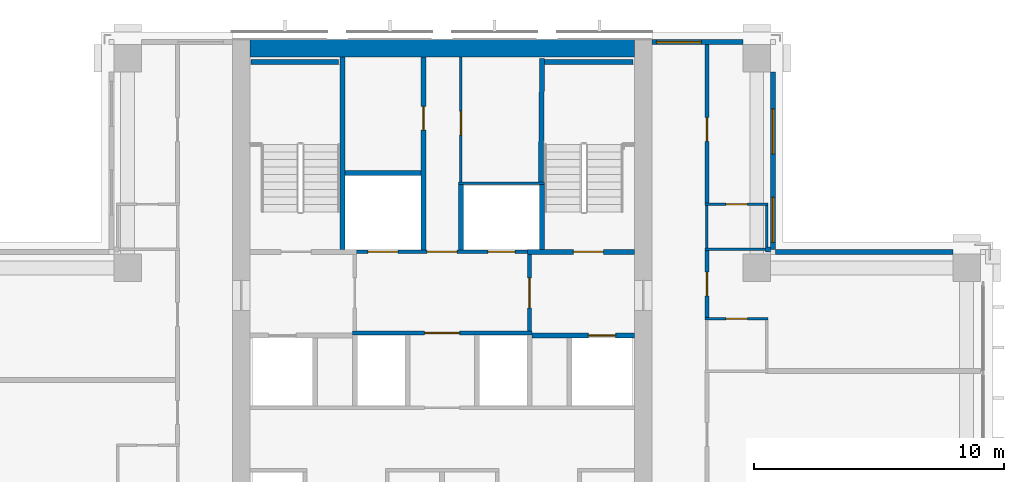
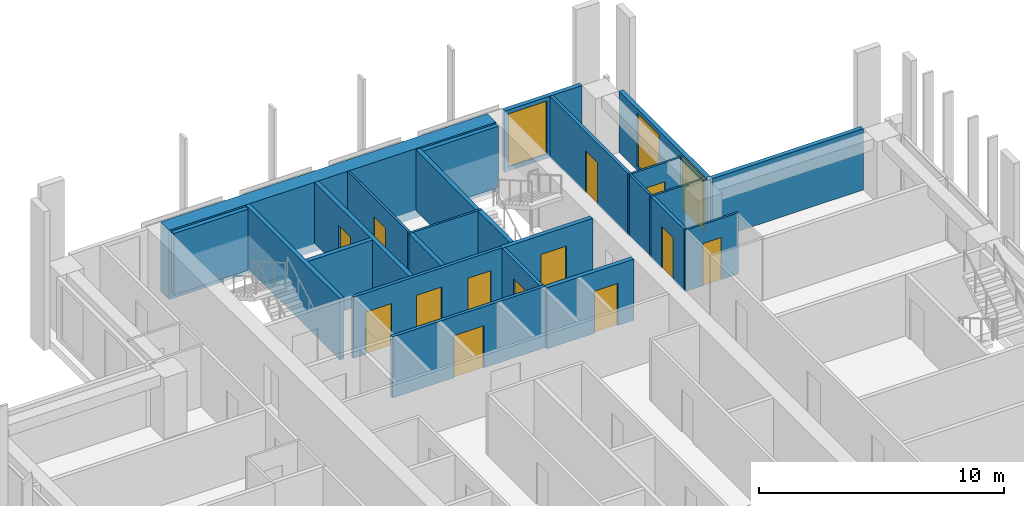
# One storey, part 12 of 16: 27 walls, 13 doors, 3 windows, 16 openings.
"""IFC4 building model written with IfcOpenShell, lengths in metres."""

from ifc_helpers import new_model, si_unit, direction, frame, frame_2d, origin, place, context, subcontext, project, spatial, rectangle, extrude, material, layer, layer_set, type_object, element, fill, save


model = new_model("IFC4")

# Units and contexts
model_context = context("Model", 3, precision=1e-05, world=origin(), true_north=direction((0.0, 1.0)))
body_context = subcontext(model_context, "Body", "Model", "MODEL_VIEW")
ifc_project = project(units=[si_unit("LENGTHUNIT", "METRE"), si_unit("AREAUNIT", "SQUARE_METRE"), si_unit("VOLUMEUNIT", "CUBIC_METRE"), si_unit("PLANEANGLEUNIT", "RADIAN"), si_unit("MASSUNIT", "GRAM", prefix="KILO")], contexts=[model_context])

# Site, building, storey
site_placement = place(None, origin())
site = spatial("IfcSite", under=ifc_project, at=site_placement, CompositionType="ELEMENT")
building_placement = place(site_placement, origin())
building = spatial("IfcBuilding", under=site, at=building_placement, Name="Vermilion Ogive Tower", CompositionType="ELEMENT")
storey_placement = place(building_placement, frame((0.0, 0.0, 143.449951171875)))
storey = spatial("IfcBuildingStorey", under=building, at=storey_placement, Name="L36", CompositionType="ELEMENT", Elevation=143.449951171875)

# Wall
ifc_material_1 = material(Name="Concrete B60", Category="concrete")
ifc_layer_1 = layer(ifc_material_1, 0.699951171875)
ifc_layer_set_1 = layer_set([ifc_layer_1], Name="Core wall 700 B60")
wall_type_1 = type_object("IfcWallType", Name="Core wall 700 B60", PredefinedType="SHEAR", material=ifc_layer_set_1)
wall_1_placement = place(storey_placement, frame((-7.699951171875, 21.39990234375, -0.39990234375), z_axis=(0.0, 0.0, 1.0), x_axis=(1.0, 0.0, 0.0)))
element("IfcWall", 1, at=wall_1_placement, inside=storey, type_object=wall_type_1, Name="L36-CORE-N", PredefinedType="SHEAR", context=body_context, shape_type="SweptSolid", body=[
    extrude(rectangle(XDim=15.39990234375, YDim=0.699951171875, at=frame_2d((7.699951171875, 0.0))), origin(), (0.0, 0.0, 1.0), 3.449951171875),
])

# Wall, opening, door
ifc_material_2 = material(Name="Gypsum board partition on steel studs", Category="steel")
ifc_layer_2 = layer(ifc_material_2, 0.10009765625)
ifc_layer_set_2 = layer_set([ifc_layer_2], Name="Partition 100 bath")
wall_type_2 = type_object("IfcWallType", Name="Partition 100 bath", PredefinedType="PARTITIONING", material=ifc_layer_set_2)
wall_2_placement = place(storey_placement, frame((10.52490234375, 10.570068359375, 0.0), z_axis=(0.0, 0.0, 1.0), x_axis=(1.0, 0.0, 0.0)))
wall_2 = element("IfcWall", 2, at=wall_2_placement, inside=storey, type_object=wall_type_2, Name="L36-W-W026", PredefinedType="PARTITIONING", context=body_context, shape_type="SweptSolid", body=[
    extrude(rectangle(XDim=2.525146484375, YDim=0.10009765625, at=frame_2d((1.2626953125, 0.0))), origin(), (0.0, 0.0, 1.0), 3.050048828125),
])
opening_1_placement = place(wall_2_placement, frame((0.85009765625, 0.0, 0.0)))
opening_1 = element("IfcOpeningElement", 3, at=opening_1_placement, cuts=wall_2, Name="Opening D3G2014", PredefinedType="OPENING", context=body_context, shape_type="SweptSolid", body=[
    extrude(rectangle(XDim=0.85009765625, YDim=2.10009765625, at=frame_2d((0.425048828125, 1.050048828125))), frame((0.0, 0.06005859375, 0.0), z_axis=(0.0, -1.0, 0.0), x_axis=(1.0, 0.0, 0.0)), (0.0, 0.0, 1.0), 0.1201171875),
])
ifc_material_3 = material(Name="Timber door leaf", Category="wood")
door_type_1 = type_object("IfcDoorType", Name="Bath door 850 x 2100 FD30", OperationType="SINGLE_SWING_LEFT", PredefinedType="DOOR", material=ifc_material_3)
door_1_placement = place(opening_1_placement, origin())
door_1 = element("IfcDoor", 4, at=door_1_placement, inside=storey, type_object=door_type_1, Name="L36-D-D014", OperationType="SINGLE_SWING_RIGHT", OverallHeight=2.10009765625, OverallWidth=0.85009765625, PredefinedType="DOOR", context=body_context, shape_type="SweptSolid", body=[
    extrude(rectangle(XDim=0.85009765625, YDim=2.10009765625, at=frame_2d((0.425048828125, 1.050048828125))), frame((0.0, 0.02490234375, 0.0), z_axis=(0.0, -1.0, 0.0), x_axis=(1.0, 0.0, 0.0)), (0.0, 0.0, 1.0), 0.050048828125),
])
fill(opening_1, door_1)

# Wall
wall_3_placement = place(storey_placement, frame((10.52490234375, 13.35009765625, 0.0), z_axis=(0.0, 0.0, 1.0), x_axis=(1.0, 0.0, 0.0)))
element("IfcWall", 5, at=wall_3_placement, inside=storey, type_object=wall_type_2, Name="L36-W-W029", PredefinedType="PARTITIONING", context=body_context, shape_type="SweptSolid", body=[
    extrude(rectangle(XDim=2.525146484375, YDim=0.10009765625, at=frame_2d((1.2626953125, 0.0))), origin(), (0.0, 0.0, 1.0), 3.050048828125),
])

# Wall, opening, door
wall_4_placement = place(storey_placement, frame((10.52490234375, 15.14990234375, 0.0), z_axis=(0.0, 0.0, 1.0), x_axis=(1.0, 0.0, 0.0)))
wall_4 = element("IfcWall", 6, at=wall_4_placement, inside=storey, type_object=wall_type_2, Name="L36-W-W032", PredefinedType="PARTITIONING", context=body_context, shape_type="SweptSolid", body=[
    extrude(rectangle(XDim=2.525146484375, YDim=0.10009765625, at=frame_2d((1.2626953125, 0.0))), origin(), (0.0, 0.0, 1.0), 3.050048828125),
])
opening_2_placement = place(wall_4_placement, frame((0.85009765625, 0.0, 0.0)))
opening_2 = element("IfcOpeningElement", 7, at=opening_2_placement, cuts=wall_4, Name="Opening D3G2016", PredefinedType="OPENING", context=body_context, shape_type="SweptSolid", body=[
    extrude(rectangle(XDim=0.85009765625, YDim=2.10009765625, at=frame_2d((0.425048828125, 1.050048828125))), frame((0.0, 0.06005859375, 0.0), z_axis=(0.0, -1.0, 0.0), x_axis=(1.0, 0.0, 0.0)), (0.0, 0.0, 1.0), 0.1201171875),
])
door_2_placement = place(opening_2_placement, origin())
door_2 = element("IfcDoor", 8, at=door_2_placement, inside=storey, type_object=door_type_1, Name="L36-D-D016", OperationType="SINGLE_SWING_RIGHT", OverallHeight=2.10009765625, OverallWidth=0.85009765625, PredefinedType="DOOR", context=body_context, shape_type="SweptSolid", body=[
    extrude(rectangle(XDim=0.85009765625, YDim=2.10009765625, at=frame_2d((0.425048828125, 1.050048828125))), frame((0.0, 0.02490234375, 0.0), z_axis=(0.0, -1.0, 0.0), x_axis=(1.0, 0.0, 0.0)), (0.0, 0.0, 1.0), 0.050048828125),
])
fill(opening_2, door_2)

# Walls
wall_5_placement = place(storey_placement, frame((10.60009765625, 13.39990234375, 0.0), z_axis=(0.0, 0.0, 1.0), x_axis=(0.0, 1.0, 0.0)))
element("IfcWall", 9, at=wall_5_placement, inside=storey, type_object=wall_type_2, Name="L36-W-W057", PredefinedType="PARTITIONING", context=body_context, shape_type="SweptSolid", body=[
    extrude(rectangle(XDim=1.7001953125, YDim=0.10009765625, at=frame_2d((0.85009765625, 0.0))), origin(), (0.0, 0.0, 1.0), 3.050048828125),
])
wall_6_placement = place(storey_placement, frame((13.0, 13.449951171875, 0.0), z_axis=(0.0, 0.0, 1.0), x_axis=(0.0, 1.0, 0.0)))
element("IfcWall", 10, at=wall_6_placement, inside=storey, type_object=wall_type_2, Name="L36-W-W063", PredefinedType="PARTITIONING", context=body_context, shape_type="SweptSolid", body=[
    extrude(rectangle(XDim=1.650146484375, YDim=0.10009765625, at=frame_2d((0.8251953125, 0.0))), origin(), (0.0, 0.0, 1.0), 3.050048828125),
])
wall_7_placement = place(storey_placement, frame((0.64990234375, 16.0, 0.0), z_axis=(0.0, 0.0, 1.0), x_axis=(1.0, 0.0, 0.0)))
element("IfcWall", 11, at=wall_7_placement, inside=storey, type_object=wall_type_2, Name="L36-CK-W-W017", PredefinedType="PARTITIONING", context=body_context, shape_type="SweptSolid", body=[
    extrude(rectangle(XDim=3.4501953125, YDim=0.10009765625, at=frame_2d((1.72509765625, 0.0))), origin(), (0.0, 0.0, 1.0), 3.050048828125),
])

# Wall, opening, door
wall_8_placement = place(storey_placement, frame((0.75, 16.050048828125, 0.0), z_axis=(0.0, 0.0, 1.0), x_axis=(0.0, 1.0, 0.0)))
wall_8 = element("IfcWall", 12, at=wall_8_placement, inside=storey, type_object=wall_type_2, Name="L36-CK-W-W029", PredefinedType="PARTITIONING", context=body_context, shape_type="SweptSolid", body=[
    extrude(rectangle(XDim=4.9990234375, YDim=0.10009765625, at=frame_2d((2.49951171875, 0.0))), origin(), (0.0, 0.0, 1.0), 3.050048828125),
])
opening_3_placement = place(wall_8_placement, frame((1.875, 0.0, 0.0)))
opening_3 = element("IfcOpeningElement", 13, at=opening_3_placement, cuts=wall_8, Name="Opening DAA311", PredefinedType="OPENING", context=body_context, shape_type="SweptSolid", body=[
    extrude(rectangle(XDim=0.949951171875, YDim=2.10009765625, at=frame_2d((0.47509765625, 1.050048828125))), frame((0.0, 0.06005859375, 0.0), z_axis=(0.0, -1.0, 0.0), x_axis=(1.0, 0.0, 0.0)), (0.0, 0.0, 1.0), 0.1201171875),
])
ifc_material_4 = material(Name="Timber door leaf", Category="wood")
door_type_2 = type_object("IfcDoorType", Name="Service door 950 x 2100 FD60", OperationType="SINGLE_SWING_LEFT", PredefinedType="DOOR", material=ifc_material_4)
door_3_placement = place(opening_3_placement, origin())
door_3 = element("IfcDoor", 14, at=door_3_placement, inside=storey, type_object=door_type_2, Name="L36-CK-D-D021", OperationType="SINGLE_SWING_LEFT", OverallHeight=2.10009765625, OverallWidth=0.949951171875, PredefinedType="DOOR", context=body_context, shape_type="SweptSolid", body=[
    extrude(rectangle(XDim=0.949951171875, YDim=2.10009765625, at=frame_2d((0.47509765625, 1.050048828125))), frame((0.0, 0.02490234375, 0.0), z_axis=(0.0, -1.0, 0.0), x_axis=(1.0, 0.0, 0.0)), (0.0, 0.0, 1.0), 0.050048828125),
])
fill(opening_3, door_3)

ifc_material_5 = material(Name="Gypsum board partition on steel studs", Category="steel")
ifc_layer_3 = layer(ifc_material_5, 0.14990234375)
ifc_layer_set_3 = layer_set([ifc_layer_3], Name="Partition 150 corridor")
wall_type_3 = type_object("IfcWallType", Name="Partition 150 corridor", PredefinedType="PARTITIONING", material=ifc_layer_set_3)
wall_9_placement = place(storey_placement, frame((10.60009765625, 10.6201171875, 0.0), z_axis=(0.0, 0.0, 1.0), x_axis=(0.0, 1.0, 0.0)))
wall_9 = element("IfcWall", 15, at=wall_9_placement, inside=storey, type_object=wall_type_3, Name="L36-W-W056", PredefinedType="PARTITIONING", context=body_context, shape_type="SweptSolid", body=[
    extrude(rectangle(XDim=2.679931640625, YDim=0.14990234375, at=frame_2d((1.33984375, 0.0))), origin(), (0.0, 0.0, 1.0), 3.050048828125),
])
opening_4_placement = place(wall_9_placement, frame((0.864990234375, 0.0, 0.0)))
opening_4 = element("IfcOpeningElement", 16, at=opening_4_placement, cuts=wall_9, Name="Opening D3G2013", PredefinedType="OPENING", context=body_context, shape_type="SweptSolid", body=[
    extrude(rectangle(XDim=0.949951171875, YDim=2.10009765625, at=frame_2d((0.47509765625, 1.050048828125))), frame((0.0, 0.0849609375, 0.0), z_axis=(0.0, -1.0, 0.0), x_axis=(1.0, 0.0, 0.0)), (0.0, 0.0, 1.0), 0.169921875),
])
ifc_material_6 = material(Name="Timber door leaf", Category="wood")
door_type_3 = type_object("IfcDoorType", Name="Unit door 950 x 2100 FD30S", OperationType="SINGLE_SWING_LEFT", PredefinedType="DOOR", material=ifc_material_6)
door_4_placement = place(opening_4_placement, origin())
door_4 = element("IfcDoor", 17, at=door_4_placement, inside=storey, type_object=door_type_3, Name="L36-D-D013", OperationType="SINGLE_SWING_RIGHT", OverallHeight=2.10009765625, OverallWidth=0.949951171875, PredefinedType="DOOR", context=body_context, shape_type="SweptSolid", body=[
    extrude(rectangle(XDim=0.949951171875, YDim=2.10009765625, at=frame_2d((0.47509765625, 1.050048828125))), frame((0.0, 0.02490234375, 0.0), z_axis=(0.0, -1.0, 0.0), x_axis=(1.0, 0.0, 0.0)), (0.0, 0.0, 1.0), 0.050048828125),
])
fill(opening_4, door_4)

wall_10_placement = place(storey_placement, frame((10.60009765625, 15.199951171875, 0.0), z_axis=(0.0, 0.0, 1.0), x_axis=(0.0, 1.0, 0.0)))
wall_10 = element("IfcWall", 18, at=wall_10_placement, inside=storey, type_object=wall_type_3, Name="L36-W-W058", PredefinedType="PARTITIONING", context=body_context, shape_type="SweptSolid", body=[
    extrude(rectangle(XDim=6.35009765625, YDim=0.14990234375, at=frame_2d((3.175048828125, 0.0))), origin(), (0.0, 0.0, 1.0), 3.050048828125),
])
opening_5_placement = place(wall_10_placement, frame((2.47509765625, 0.0, 0.0)))
opening_5 = element("IfcOpeningElement", 19, at=opening_5_placement, cuts=wall_10, Name="Opening D3G2015", PredefinedType="OPENING", context=body_context, shape_type="SweptSolid", body=[
    extrude(rectangle(XDim=0.949951171875, YDim=2.10009765625, at=frame_2d((0.47509765625, 1.050048828125))), frame((0.0, 0.0849609375, 0.0), z_axis=(0.0, -1.0, 0.0), x_axis=(1.0, 0.0, 0.0)), (0.0, 0.0, 1.0), 0.169921875),
])
door_5_placement = place(opening_5_placement, origin())
door_5 = element("IfcDoor", 20, at=door_5_placement, inside=storey, type_object=door_type_3, Name="L36-D-D015", OperationType="SINGLE_SWING_LEFT", OverallHeight=2.10009765625, OverallWidth=0.949951171875, PredefinedType="DOOR", context=body_context, shape_type="SweptSolid", body=[
    extrude(rectangle(XDim=0.949951171875, YDim=2.10009765625, at=frame_2d((0.47509765625, 1.050048828125))), frame((0.0, 0.02490234375, 0.0), z_axis=(0.0, -1.0, 0.0), x_axis=(1.0, 0.0, 0.0)), (0.0, 0.0, 1.0), 0.050048828125),
])
fill(opening_5, door_5)

wall_11_placement = place(storey_placement, frame((-3.60009765625, 10.0, 0.0), z_axis=(0.0, 0.0, 1.0), x_axis=(1.0, 0.0, 0.0)))
wall_11 = element("IfcWall", 21, at=wall_11_placement, inside=storey, type_object=wall_type_3, Name="L36-CK-W-W013", PredefinedType="PARTITIONING", context=body_context, shape_type="SweptSolid", body=[
    extrude(rectangle(XDim=7.2001953125, YDim=0.14990234375, at=frame_2d((3.60009765625, 0.0))), origin(), (0.0, 0.0, 1.0), 3.050048828125),
])
opening_6_placement = place(wall_11_placement, frame((2.900146484375, 0.0, 0.0)))
opening_6 = element("IfcOpeningElement", 22, at=opening_6_placement, cuts=wall_11, Name="Opening DAA303", PredefinedType="OPENING", context=body_context, shape_type="SweptSolid", body=[
    extrude(rectangle(XDim=1.39990234375, YDim=2.10009765625, at=frame_2d((0.699951171875, 1.050048828125))), frame((0.0, 0.0849609375, 0.0), z_axis=(0.0, -1.0, 0.0), x_axis=(1.0, 0.0, 0.0)), (0.0, 0.0, 1.0), 0.169921875),
])
ifc_material_7 = material(Name="Timber door leaf", Category="wood")
door_type_4 = type_object("IfcDoorType", Name="Lobby door 1400 x 2100 FD60S", OperationType="SINGLE_SWING_LEFT", PredefinedType="DOOR", material=ifc_material_7)
door_6_placement = place(opening_6_placement, origin())
door_6 = element("IfcDoor", 23, at=door_6_placement, inside=storey, type_object=door_type_4, Name="L36-CK-D-D016", OperationType="SINGLE_SWING_RIGHT", OverallHeight=2.10009765625, OverallWidth=1.39990234375, PredefinedType="DOOR", context=body_context, shape_type="SweptSolid", body=[
    extrude(rectangle(XDim=1.39990234375, YDim=2.10009765625, at=frame_2d((0.699951171875, 1.050048828125))), frame((0.0, 0.02490234375, 0.0), z_axis=(0.0, -1.0, 0.0), x_axis=(1.0, 0.0, 0.0)), (0.0, 0.0, 1.0), 0.050048828125),
])
fill(opening_6, door_6)

# Wall, openings, doors
wall_12_placement = place(storey_placement, frame((-3.574951171875, 13.25, 0.0), z_axis=(0.0, 0.0, 1.0), x_axis=(1.0, 0.0, 0.0)))
wall_12 = element("IfcWall", 24, at=wall_12_placement, inside=storey, type_object=wall_type_3, Name="L36-CK-W-W015", PredefinedType="PARTITIONING", context=body_context, shape_type="SweptSolid", body=[
    extrude(rectangle(XDim=7.14990234375, YDim=0.14990234375, at=frame_2d((3.574951171875, 0.0))), origin(), (0.0, 0.0, 1.0), 3.050048828125),
])
opening_7_placement = place(wall_12_placement, frame((0.599853515625, 0.0, 0.0)))
opening_7 = element("IfcOpeningElement", 25, at=opening_7_placement, cuts=wall_12, Name="Opening DAA322", PredefinedType="OPENING", context=body_context, shape_type="SweptSolid", body=[
    extrude(rectangle(XDim=1.199951171875, YDim=2.10009765625, at=frame_2d((0.60009765625, 1.050048828125))), frame((0.0, 0.0849609375, 0.0), z_axis=(0.0, -1.0, 0.0), x_axis=(1.0, 0.0, 0.0)), (0.0, 0.0, 1.0), 0.169921875),
])
opening_8_placement = place(wall_12_placement, frame((5.39990234375, 0.0, 0.0)))
opening_8 = element("IfcOpeningElement", 26, at=opening_8_placement, cuts=wall_12, Name="Opening DAA321", PredefinedType="OPENING", context=body_context, shape_type="SweptSolid", body=[
    extrude(rectangle(XDim=1.10009765625, YDim=2.10009765625, at=frame_2d((0.550048828125, 1.050048828125))), frame((0.0, 0.0849609375, 0.0), z_axis=(0.0, -1.0, 0.0), x_axis=(1.0, 0.0, 0.0)), (0.0, 0.0, 1.0), 0.169921875),
])
opening_9_placement = place(wall_12_placement, frame((2.974853515625, 0.0, 0.0)))
opening_9 = element("IfcOpeningElement", 27, at=opening_9_placement, cuts=wall_12, Name="Opening DAA304", PredefinedType="OPENING", context=body_context, shape_type="SweptSolid", body=[
    extrude(rectangle(XDim=1.199951171875, YDim=2.10009765625, at=frame_2d((0.60009765625, 1.050048828125))), frame((0.0, 0.0849609375, 0.0), z_axis=(0.0, -1.0, 0.0), x_axis=(1.0, 0.0, 0.0)), (0.0, 0.0, 1.0), 0.169921875),
])
ifc_material_8 = material(Name="Stainless steel", Category="steel")
door_type_5 = type_object("IfcDoorType", Name="Lift landing door 1100 x 2100", OperationType="SLIDING_TO_LEFT", PredefinedType="DOOR", material=ifc_material_8)
door_7_placement = place(opening_8_placement, origin())
door_7 = element("IfcDoor", 28, at=door_7_placement, inside=storey, type_object=door_type_5, Name="L36-CK-D-D018", OperationType="SLIDING_TO_LEFT", OverallHeight=2.10009765625, OverallWidth=1.10009765625, PredefinedType="DOOR", context=body_context, shape_type="SweptSolid", body=[
    extrude(rectangle(XDim=1.10009765625, YDim=2.10009765625, at=frame_2d((0.550048828125, 1.050048828125))), frame((0.0, 0.02490234375, 0.0), z_axis=(0.0, -1.0, 0.0), x_axis=(1.0, 0.0, 0.0)), (0.0, 0.0, 1.0), 0.050048828125),
])
fill(opening_8, door_7)
ifc_material_9 = material(Name="Stainless steel", Category="steel")
door_type_6 = type_object("IfcDoorType", Name="Lift landing door 1200 x 2100", OperationType="SLIDING_TO_LEFT", PredefinedType="DOOR", material=ifc_material_9)
door_8_placement = place(opening_7_placement, origin())
door_8 = element("IfcDoor", 29, at=door_8_placement, inside=storey, type_object=door_type_6, Name="L36-CK-D-D017", OperationType="SLIDING_TO_RIGHT", OverallHeight=2.10009765625, OverallWidth=1.199951171875, PredefinedType="DOOR", context=body_context, shape_type="SweptSolid", body=[
    extrude(rectangle(XDim=1.199951171875, YDim=2.10009765625, at=frame_2d((0.60009765625, 1.050048828125))), frame((0.0, 0.02490234375, 0.0), z_axis=(0.0, -1.0, 0.0), x_axis=(1.0, 0.0, 0.0)), (0.0, 0.0, 1.0), 0.050048828125),
])
fill(opening_7, door_8)
ifc_material_10 = material(Name="Timber door leaf", Category="wood")
door_type_7 = type_object("IfcDoorType", Name="Service door 1200 x 2100 FD60", OperationType="SINGLE_SWING_LEFT", PredefinedType="DOOR", material=ifc_material_10)
door_9_placement = place(opening_9_placement, origin())
door_9 = element("IfcDoor", 30, at=door_9_placement, inside=storey, type_object=door_type_7, Name="L36-CK-D-D019", OperationType="SINGLE_SWING_RIGHT", OverallHeight=2.10009765625, OverallWidth=1.199951171875, PredefinedType="DOOR", context=body_context, shape_type="SweptSolid", body=[
    extrude(rectangle(XDim=1.199951171875, YDim=2.10009765625, at=frame_2d((0.60009765625, 1.050048828125))), frame((0.0, 0.02490234375, 0.0), z_axis=(0.0, -1.0, 0.0), x_axis=(1.0, 0.0, 0.0)), (0.0, 0.0, 1.0), 0.050048828125),
])
fill(opening_9, door_9)

# Wall, opening, door
wall_13_placement = place(storey_placement, frame((3.5, 10.074951171875, 0.0), z_axis=(0.0, 0.0, 1.0), x_axis=(0.0, 1.0, 0.0)))
wall_13 = element("IfcWall", 31, at=wall_13_placement, inside=storey, type_object=wall_type_3, Name="L36-CK-W-W033", PredefinedType="PARTITIONING", context=body_context, shape_type="SweptSolid", body=[
    extrude(rectangle(XDim=3.074951171875, YDim=0.14990234375, at=frame_2d((1.53759765625, 0.0))), origin(), (0.0, 0.0, 1.0), 3.050048828125),
])
opening_10_placement = place(wall_13_placement, frame((0.925048828125, 0.0, 0.0)))
opening_10 = element("IfcOpeningElement", 32, at=opening_10_placement, cuts=wall_13, Name="Opening DAA301", PredefinedType="OPENING", context=body_context, shape_type="SweptSolid", body=[
    extrude(rectangle(XDim=1.199951171875, YDim=2.10009765625, at=frame_2d((0.60009765625, 1.050048828125))), frame((0.0, 0.0849609375, 0.0), z_axis=(0.0, -1.0, 0.0), x_axis=(1.0, 0.0, 0.0)), (0.0, 0.0, 1.0), 0.169921875),
])
ifc_material_11 = material(Name="Timber door leaf", Category="wood")
door_type_8 = type_object("IfcDoorType", Name="Lobby door 1200 x 2100 FD60S", OperationType="SINGLE_SWING_LEFT", PredefinedType="DOOR", material=ifc_material_11)
door_10_placement = place(opening_10_placement, origin())
door_10 = element("IfcDoor", 33, at=door_10_placement, inside=storey, type_object=door_type_8, Name="L36-CK-D-D023", OperationType="SINGLE_SWING_LEFT", OverallHeight=2.10009765625, OverallWidth=1.199951171875, PredefinedType="DOOR", context=body_context, shape_type="SweptSolid", body=[
    extrude(rectangle(XDim=1.199951171875, YDim=2.10009765625, at=frame_2d((0.60009765625, 1.050048828125))), frame((0.0, 0.02490234375, 0.0), z_axis=(0.0, -1.0, 0.0), x_axis=(1.0, 0.0, 0.0)), (0.0, 0.0, 1.0), 0.050048828125),
])
fill(opening_10, door_10)

# Wall
ifc_material_12 = material(Name="Gypsum board partition on steel studs", Category="steel")
ifc_layer_4 = layer(ifc_material_12, 0.199951171875)
ifc_layer_set_4 = layer_set([ifc_layer_4], Name="Partition 200 party")
wall_type_4 = type_object("IfcWallType", Name="Partition 200 party", PredefinedType="PARTITIONING", material=ifc_layer_set_4)
wall_14_placement = place(storey_placement, frame((12.949951171875, 13.35009765625, 0.0), z_axis=(0.0, 0.0, 1.0), x_axis=(1.0, 0.0, 0.0)))
element("IfcWall", 34, at=wall_14_placement, inside=storey, type_object=wall_type_4, Name="L36-W-W030", PredefinedType="PARTITIONING", context=body_context, shape_type="SweptSolid", body=[
    extrude(rectangle(XDim=0.199951171875, YDim=0.199951171875, at=frame_2d((0.10009765625, 0.0))), origin(), (0.0, 0.0, 1.0), 3.050048828125),
])

# Wall, opening, door
wall_15_placement = place(storey_placement, frame((3.60009765625, 9.89990234375, 0.0), z_axis=(0.0, 0.0, 1.0), x_axis=(1.0, 0.0, 0.0)))
wall_15 = element("IfcWall", 35, at=wall_15_placement, inside=storey, type_object=wall_type_4, Name="L36-CK-W-W012", PredefinedType="PARTITIONING", context=body_context, shape_type="SweptSolid", body=[
    extrude(rectangle(XDim=4.098876953125, YDim=0.199951171875, at=frame_2d((2.04931640625, 0.0))), origin(), (0.0, 0.0, 1.0), 3.050048828125),
])
opening_11_placement = place(wall_15_placement, frame((2.25, 0.0, 0.0)))
opening_11 = element("IfcOpeningElement", 36, at=opening_11_placement, cuts=wall_15, Name="Opening DAA320", PredefinedType="OPENING", context=body_context, shape_type="SweptSolid", body=[
    extrude(rectangle(XDim=1.10009765625, YDim=2.10009765625, at=frame_2d((0.550048828125, 1.050048828125))), frame((0.0, 0.10986328125, 0.0), z_axis=(0.0, -1.0, 0.0), x_axis=(1.0, 0.0, 0.0)), (0.0, 0.0, 1.0), 0.219970703125),
])
door_11_placement = place(opening_11_placement, origin())
door_11 = element("IfcDoor", 37, at=door_11_placement, inside=storey, type_object=door_type_5, Name="L36-CK-D-D014", OperationType="SLIDING_TO_LEFT", OverallHeight=2.10009765625, OverallWidth=1.10009765625, PredefinedType="DOOR", context=body_context, shape_type="SweptSolid", body=[
    extrude(rectangle(XDim=1.10009765625, YDim=2.10009765625, at=frame_2d((0.550048828125, 1.050048828125))), frame((0.0, 0.02490234375, 0.0), z_axis=(0.0, -1.0, 0.0), x_axis=(1.0, 0.0, 0.0)), (0.0, 0.0, 1.0), 0.050048828125),
])
fill(opening_11, door_11)

# Wall
wall_16_placement = place(storey_placement, frame((-3.89990234375, 16.39990234375, 0.0), z_axis=(0.0, 0.0, 1.0), x_axis=(1.0, 0.0, 0.0)))
element("IfcWall", 38, at=wall_16_placement, inside=storey, type_object=wall_type_4, Name="L36-CK-W-W018", PredefinedType="PARTITIONING", context=body_context, shape_type="SweptSolid", body=[
    extrude(rectangle(XDim=3.0498046875, YDim=0.199951171875, at=frame_2d((1.52490234375, 0.0))), origin(), (0.0, 0.0, 1.0), 3.050048828125),
])

# Wall, opening, door
wall_17_placement = place(storey_placement, frame((-0.75, 13.324951171875, 0.0), z_axis=(0.0, 0.0, 1.0), x_axis=(0.0, 1.0, 0.0)))
wall_17 = element("IfcWall", 39, at=wall_17_placement, inside=storey, type_object=wall_type_4, Name="L36-CK-W-W026", PredefinedType="PARTITIONING", context=body_context, shape_type="SweptSolid", body=[
    extrude(rectangle(XDim=7.72412109375, YDim=0.199951171875, at=frame_2d((3.862060546875, 0.0))), origin(), (0.0, 0.0, 1.0), 3.050048828125),
])
opening_12_placement = place(wall_17_placement, frame((4.800048828125, 0.0, 0.0)))
opening_12 = element("IfcOpeningElement", 40, at=opening_12_placement, cuts=wall_17, Name="Opening DAA310", PredefinedType="OPENING", context=body_context, shape_type="SweptSolid", body=[
    extrude(rectangle(XDim=0.949951171875, YDim=2.10009765625, at=frame_2d((0.47509765625, 1.050048828125))), frame((0.0, 0.10986328125, 0.0), z_axis=(0.0, -1.0, 0.0), x_axis=(1.0, 0.0, 0.0)), (0.0, 0.0, 1.0), 0.219970703125),
])
door_12_placement = place(opening_12_placement, origin())
door_12 = element("IfcDoor", 41, at=door_12_placement, inside=storey, type_object=door_type_2, Name="L36-CK-D-D020", OperationType="SINGLE_SWING_RIGHT", OverallHeight=2.10009765625, OverallWidth=0.949951171875, PredefinedType="DOOR", context=body_context, shape_type="SweptSolid", body=[
    extrude(rectangle(XDim=0.949951171875, YDim=2.10009765625, at=frame_2d((0.47509765625, 1.050048828125))), frame((0.0, 0.02490234375, 0.0), z_axis=(0.0, -1.0, 0.0), x_axis=(1.0, 0.0, 0.0)), (0.0, 0.0, 1.0), 0.050048828125),
])
fill(opening_12, door_12)

# Wall
wall_18_placement = place(storey_placement, frame((0.75, 13.324951171875, 0.0), z_axis=(0.0, 0.0, 1.0), x_axis=(0.0, 1.0, 0.0)))
element("IfcWall", 42, at=wall_18_placement, inside=storey, type_object=wall_type_4, Name="L36-CK-W-W028", PredefinedType="PARTITIONING", context=body_context, shape_type="SweptSolid", body=[
    extrude(rectangle(XDim=2.625, YDim=0.199951171875, at=frame_2d((1.3125, 0.0))), origin(), (0.0, 0.0, 1.0), 3.050048828125),
])

# Wall, opening, door
ifc_material_13 = material(Name="Concrete B60", Category="concrete")
ifc_layer_5 = layer(ifc_material_13, 0.199951171875)
ifc_layer_set_5 = layer_set([ifc_layer_5], Name="Stair shaft wall 200 Concrete B60")
wall_type_5 = type_object("IfcWallType", Name="Stair shaft wall 200 Concrete B60", PredefinedType="SOLIDWALL", material=ifc_layer_set_5)
wall_19_placement = place(storey_placement, frame((3.425048828125, 13.25, 0.0), z_axis=(0.0, 0.0, 1.0), x_axis=(1.0, 0.0, 0.0)))
wall_19 = element("IfcWall", 43, at=wall_19_placement, inside=storey, type_object=wall_type_5, Name="L36-CK-W-W016", PredefinedType="SOLIDWALL", context=body_context, shape_type="SweptSolid", body=[
    extrude(rectangle(XDim=4.27392578125, YDim=0.199951171875, at=frame_2d((2.136962890625, 0.0))), origin(), (0.0, 0.0, 1.0), 3.050048828125),
])
opening_13_placement = place(wall_19_placement, frame((1.824951171875, 0.0, 0.0)))
opening_13 = element("IfcOpeningElement", 44, at=opening_13_placement, cuts=wall_19, Name="Opening DAA313", PredefinedType="OPENING", context=body_context, shape_type="SweptSolid", body=[
    extrude(rectangle(XDim=1.199951171875, YDim=2.10009765625, at=frame_2d((0.60009765625, 1.050048828125))), frame((0.0, 0.10986328125, 0.0), z_axis=(0.0, -1.0, 0.0), x_axis=(1.0, 0.0, 0.0)), (0.0, 0.0, 1.0), 0.219970703125),
])
ifc_material_14 = material(Name="Timber door leaf", Category="wood")
door_type_9 = type_object("IfcDoorType", Name="Stair door 1200 x 2100 FD60S", OperationType="SINGLE_SWING_LEFT", PredefinedType="DOOR", material=ifc_material_14)
door_13_placement = place(opening_13_placement, origin())
door_13 = element("IfcDoor", 45, at=door_13_placement, inside=storey, type_object=door_type_9, Name="L36-CK-D-D013", OperationType="SINGLE_SWING_RIGHT", OverallHeight=2.10009765625, OverallWidth=1.199951171875, PredefinedType="DOOR", context=body_context, shape_type="SweptSolid", body=[
    extrude(rectangle(XDim=1.199951171875, YDim=2.10009765625, at=frame_2d((0.60009765625, 1.050048828125))), frame((0.0, 0.02490234375, 0.0), z_axis=(0.0, -1.0, 0.0), x_axis=(1.0, 0.0, 0.0)), (0.0, 0.0, 1.0), 0.050048828125),
])
fill(opening_13, door_13)

# Walls
wall_20_placement = place(storey_placement, frame((-4.0, 13.35009765625, 0.0), z_axis=(0.0, 0.0, 1.0), x_axis=(0.0, 1.0, 0.0)))
element("IfcWall", 46, at=wall_20_placement, inside=storey, type_object=wall_type_5, Name="L36-CK-W-W021", PredefinedType="SOLIDWALL", context=body_context, shape_type="SweptSolid", body=[
    extrude(rectangle(XDim=7.698974609375, YDim=0.199951171875, at=frame_2d((3.849609375, 0.0))), origin(), (0.0, 0.0, 1.0), 3.050048828125),
])
wall_21_placement = place(storey_placement, frame((4.0, 13.35009765625, 0.0), z_axis=(0.0, 0.0, 1.0), x_axis=(0.0, 1.0, 0.0)))
element("IfcWall", 47, at=wall_21_placement, inside=storey, type_object=wall_type_5, Name="L36-CK-W-W034", PredefinedType="SOLIDWALL", context=body_context, shape_type="SweptSolid", body=[
    extrude(rectangle(XDim=2.599853515625, YDim=0.199951171875, at=frame_2d((1.2998046875, 0.0))), origin(), (0.0, 0.0, 1.0), 3.050048828125),
])
wall_22_placement = place(storey_placement, frame((3.949951171875, 16.050048828125, 0.0), z_axis=(0.0, 0.0, 1.0), x_axis=(0.010112452169, 0.999948867848, 0.0)))
element("IfcWall", 48, at=wall_22_placement, inside=storey, type_object=wall_type_5, Name="L36-CK-W-W035", PredefinedType="SOLIDWALL", context=body_context, shape_type="SweptSolid", body=[
    extrude(rectangle(XDim=4.94921875, YDim=0.199951171875, at=frame_2d((2.474609375, 0.0))), origin(), (0.0, 0.0, 1.0), 3.050048828125),
])
wall_23_placement = place(storey_placement, frame((-7.64990234375, 20.85009765625, 0.0), z_axis=(0.0, 0.0, 1.0), x_axis=(1.0, 0.0, 0.0)))
element("IfcWall", 49, at=wall_23_placement, inside=storey, type_object=wall_type_5, Name="L36-SW-R015-N1", PredefinedType="SOLIDWALL", context=body_context, shape_type="SweptSolid", body=[
    extrude(rectangle(XDim=3.5, YDim=0.199951171875, at=frame_2d((1.75, 0.0))), origin(), (0.0, 0.0, 1.0), 3.050048828125),
])
wall_24_placement = place(storey_placement, frame((4.10009765625, 20.85009765625, 0.0), z_axis=(0.0, 0.0, 1.0), x_axis=(1.0, 0.0, 0.0)))
element("IfcWall", 50, at=wall_24_placement, inside=storey, type_object=wall_type_5, Name="L36-SW-R019-N1", PredefinedType="SOLIDWALL", context=body_context, shape_type="SweptSolid", body=[
    extrude(rectangle(XDim=3.5498046875, YDim=0.199951171875, at=frame_2d((1.77490234375, 0.0))), origin(), (0.0, 0.0, 1.0), 3.050048828125),
])
ifc_material_15 = material(Name="Aluminium window wall framing", Category="aluminium")
ifc_layer_6 = layer(ifc_material_15, 0.199951171875)
ifc_layer_set_6 = layer_set([ifc_layer_6], Name="Window wall")
wall_type_6 = type_object("IfcWallType", Name="Window wall", PredefinedType="STANDARD", material=ifc_layer_set_6)
wall_25_placement = place(storey_placement, frame((20.449951171875, 13.25, 0.0), z_axis=(0.0, 0.0, 1.0), x_axis=(-1.0, 0.0, 0.0)))
element("IfcWall", 51, at=wall_25_placement, inside=storey, type_object=wall_type_6, Name="Window wall X31", PredefinedType="STANDARD", context=body_context, shape_type="SweptSolid", body=[
    extrude(rectangle(XDim=7.099853515625, YDim=0.199951171875, at=frame_2d((3.5498046875, 0.0))), origin(), (0.0, 0.0, 1.0), 3.050048828125),
])

# Wall, openings, windows
wall_26_placement = place(storey_placement, frame((13.25, 13.35009765625, 0.0), z_axis=(0.0, 0.0, 1.0), x_axis=(0.0, 1.0, 0.0)))
wall_26 = element("IfcWall", 52, at=wall_26_placement, inside=storey, type_object=wall_type_6, Name="Window wall X41", PredefinedType="STANDARD", context=body_context, shape_type="SweptSolid", body=[
    extrude(rectangle(XDim=7.099853515625, YDim=0.199951171875, at=frame_2d((3.5498046875, 0.0))), origin(), (0.0, 0.0, 1.0), 3.050048828125),
])
opening_14_placement = place(wall_26_placement, frame((0.27490234375, 0.0, 0.199951171875)))
opening_14 = element("IfcOpeningElement", 53, at=opening_14_placement, cuts=wall_26, Name="Opening W1-X403", PredefinedType="OPENING", context=body_context, shape_type="SweptSolid", body=[
    extrude(rectangle(XDim=1.800048828125, YDim=2.64990234375, at=frame_2d((0.89990234375, 1.324951171875))), frame((0.0, 0.10986328125, 0.0), z_axis=(0.0, -1.0, 0.0), x_axis=(1.0, 0.0, 0.0)), (0.0, 0.0, 1.0), 0.219970703125),
])
opening_15_placement = place(wall_26_placement, frame((3.824951171875, 0.0, 0.199951171875)))
opening_15 = element("IfcOpeningElement", 54, at=opening_15_placement, cuts=wall_26, Name="Opening W1-X404", PredefinedType="OPENING", context=body_context, shape_type="SweptSolid", body=[
    extrude(rectangle(XDim=1.800048828125, YDim=2.64990234375, at=frame_2d((0.89990234375, 1.324951171875))), frame((0.0, 0.10986328125, 0.0), z_axis=(0.0, -1.0, 0.0), x_axis=(1.0, 0.0, 0.0)), (0.0, 0.0, 1.0), 0.219970703125),
])
ifc_material_16 = material(Name="Aluminium framed double glazing", Category="aluminium")
window_type = type_object("IfcWindowType", Name="Guest window W1", PartitioningType="SINGLE_PANEL", PredefinedType="WINDOW", material=ifc_material_16)
window_1_placement = place(opening_14_placement, origin())
window_1 = element("IfcWindow", 55, at=window_1_placement, inside=storey, type_object=window_type, Name="Window X403", OverallHeight=2.64990234375, OverallWidth=1.800048828125, PartitioningType="SINGLE_PANEL", PredefinedType="WINDOW", context=body_context, shape_type="SweptSolid", body=[
    extrude(rectangle(XDim=1.800048828125, YDim=2.64990234375, at=frame_2d((0.89990234375, 1.324951171875))), frame((0.0, 0.030029296875, 0.0), z_axis=(0.0, -1.0, 0.0), x_axis=(1.0, 0.0, 0.0)), (0.0, 0.0, 1.0), 0.06005859375),
])
fill(opening_14, window_1)
window_2_placement = place(opening_15_placement, origin())
window_2 = element("IfcWindow", 56, at=window_2_placement, inside=storey, type_object=window_type, Name="Window X404", OverallHeight=2.64990234375, OverallWidth=1.800048828125, PartitioningType="SINGLE_PANEL", PredefinedType="WINDOW", context=body_context, shape_type="SweptSolid", body=[
    extrude(rectangle(XDim=1.800048828125, YDim=2.64990234375, at=frame_2d((0.89990234375, 1.324951171875))), frame((0.0, 0.030029296875, 0.0), z_axis=(0.0, -1.0, 0.0), x_axis=(1.0, 0.0, 0.0)), (0.0, 0.0, 1.0), 0.06005859375),
])
fill(opening_15, window_2)

# Wall, opening, window
wall_27_placement = place(storey_placement, frame((12.050048828125, 21.64990234375, 0.0), z_axis=(0.0, 0.0, 1.0), x_axis=(-1.0, 0.0, 0.0)))
wall_27 = element("IfcWall", 57, at=wall_27_placement, inside=storey, type_object=wall_type_6, Name="Window wall N11", PredefinedType="STANDARD", context=body_context, shape_type="SweptSolid", body=[
    extrude(rectangle(XDim=3.650146484375, YDim=0.199951171875, at=frame_2d((1.8251953125, 0.0))), origin(), (0.0, 0.0, 1.0), 3.050048828125),
])
opening_16_placement = place(wall_27_placement, frame((1.669921875, 0.0, 0.199951171875)))
opening_16 = element("IfcOpeningElement", 58, at=opening_16_placement, cuts=wall_27, Name="Opening W1-N102", PredefinedType="OPENING", context=body_context, shape_type="SweptSolid", body=[
    extrude(rectangle(XDim=1.800048828125, YDim=2.64990234375, at=frame_2d((0.89990234375, 1.324951171875))), frame((0.0, 0.10986328125, 0.0), z_axis=(0.0, -1.0, 0.0), x_axis=(1.0, 0.0, 0.0)), (0.0, 0.0, 1.0), 0.219970703125),
])
window_3_placement = place(opening_16_placement, origin())
window_3 = element("IfcWindow", 59, at=window_3_placement, inside=storey, type_object=window_type, Name="Window N102", OverallHeight=2.64990234375, OverallWidth=1.800048828125, PartitioningType="SINGLE_PANEL", PredefinedType="WINDOW", context=body_context, shape_type="SweptSolid", body=[
    extrude(rectangle(XDim=1.800048828125, YDim=2.64990234375, at=frame_2d((0.89990234375, 1.324951171875))), frame((0.0, 0.030029296875, 0.0), z_axis=(0.0, -1.0, 0.0), x_axis=(1.0, 0.0, 0.0)), (0.0, 0.0, 1.0), 0.06005859375),
])
fill(opening_16, window_3)

save(model, "model.ifc")
